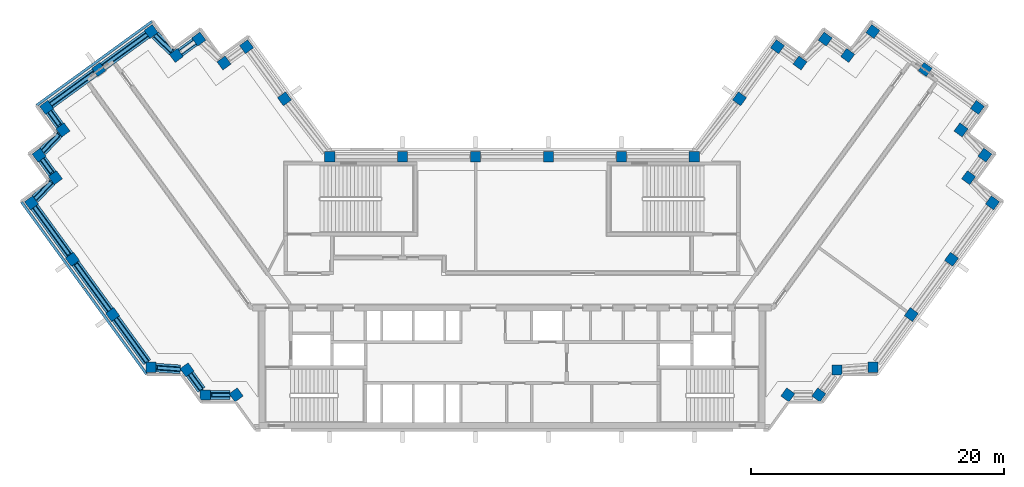
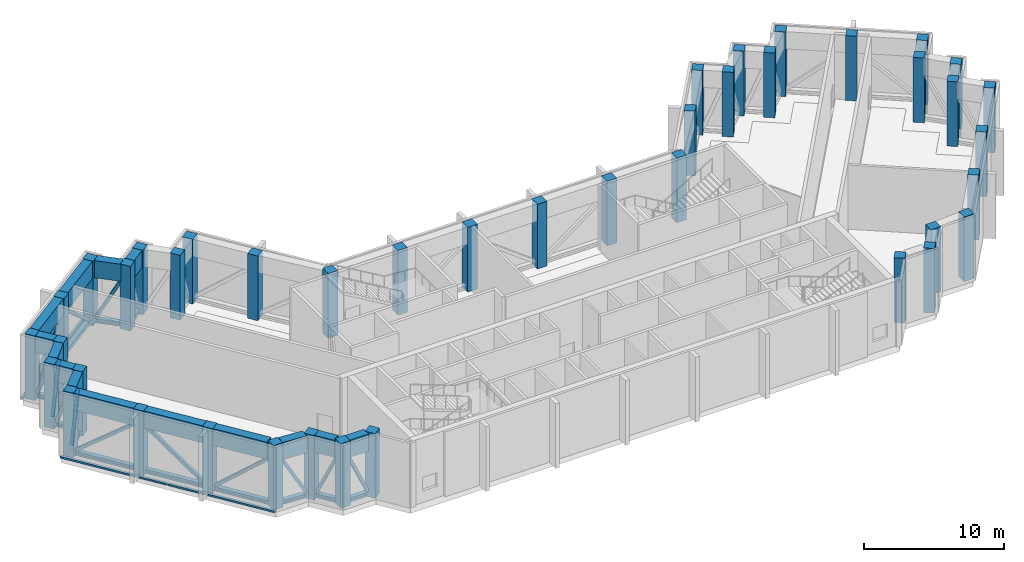
"""IFC4 building model written with IfcOpenShell, lengths in metres."""

from ifc_helpers import new_model, si_unit, direction, frame, origin, origin_2d, place, context, subcontext, project, spatial, rectangle, hollow_rectangle, i_section, extrude, material, material_profile, profile_set, type_object, element, aggregate, save


model = new_model("IFC4")

# Units and contexts
model_context = context("Model", 3, precision=1e-05, world=origin(), true_north=direction((0.0, 1.0)))
body_context = subcontext(model_context, "Body", "Model", "MODEL_VIEW")
ifc_project = project(units=[si_unit("LENGTHUNIT", "METRE"), si_unit("AREAUNIT", "SQUARE_METRE"), si_unit("VOLUMEUNIT", "CUBIC_METRE"), si_unit("PLANEANGLEUNIT", "RADIAN"), si_unit("MASSUNIT", "GRAM", prefix="KILO")], contexts=[model_context])

# Site, building, storey
site_placement = place(None, origin())
site = spatial("IfcSite", under=ifc_project, at=site_placement, CompositionType="ELEMENT")
building_placement = place(site_placement, origin())
building = spatial("IfcBuilding", under=site, at=building_placement, Name="Quipu Civic Tower", CompositionType="ELEMENT")
storey_1_placement = place(building_placement, frame((0.0, 0.0, 301.0)))
storey_1 = spatial("IfcBuildingStorey", under=building, at=storey_1_placement, Name="L70", CompositionType="ELEMENT", Elevation=301.0)

# Columns
ifc_material_1 = material(Name="Concrete C40/50", Category="concrete")
ifc_material_profile_1 = material_profile(ifc_material_1, rectangle(XDim=0.800048828125, YDim=0.800048828125, at=origin_2d()), Name="RC800x800")
ifc_profile_set_1 = profile_set([ifc_material_profile_1], Name="Concrete C40/50")
column_type = type_object("IfcColumnType", Name="Perimeter column RC 800x800 C40/50", PredefinedType="COLUMN", material=ifc_profile_set_1)
for number, where, z_axis, x_axis, name in (
    (1, (-17.9736328125, 15.074951171875, 0.0), (0.0, 0.0, 1.0), (-0.587785252292, 0.809016994375, 0.0), "Column L70 W-IN-01"),
    (2, (-20.969970703125, 19.195068359375, 0.0), (0.0, 0.0, 1.0), (-0.587785252292, 0.809016994375, 0.0), "Column L70 T-Wi.0-W22"),
    (3, (-22.749267578125, 17.904296875, 0.0), (0.0, 0.0, 1.0), (-0.587785252292, 0.809016994375, 0.0), "Column L70 T-Wi.1-W22"),
    (4, (-24.739990234375, 19.794921875, 0.0), (0.0, 0.0, 1.0), (-0.587785252292, 0.809016994375, 0.0), "Column L70 T-Wi.2-W22"),
    (5, (-26.51904296875, 18.50048828125, 0.0), (0.0, 0.0, 1.0), (-0.587785252292, 0.809016994375, 0.0), "Column L70 T-Wi.3-W22"),
    (6, (-28.510009765625, 20.389892578125, 0.0), (0.0, 0.0, 1.0), (-0.809016994375, -0.587785252292, 0.0), "Column L70 T-Wi.4-W22"),
    (7, (-32.636962890625, 17.39306640625, 0.0), (0.0, 0.0, 1.0), (-0.809016994375, -0.587785252292, 0.0), "Column L70 TIP-W-01-W22"),
    (8, (-36.764892578125, 14.39501953125, 0.0), (0.0, 0.0, 1.0), (0.587785252292, -0.809016994375, 0.0), "Column L70 T-Wo.0-W22"),
    (9, (-35.470703125, 12.616455078125, 0.0), (0.0, 0.0, 1.0), (-0.809016994375, -0.587785252292, 0.0), "Column L70 T-Wo.1-W22"),
    (10, (-37.360107421875, 10.625, 0.0), (0.0, 0.0, 1.0), (0.587785252292, -0.809016994375, 0.0), "Column L70 T-Wo.2-W22"),
    (11, (-36.068115234375, 8.843994140625, 0.0), (0.0, 0.0, 1.0), (0.587785252292, -0.809016994375, 0.0), "Column L70 T-Wo.3-W22"),
    (12, (-37.9599609375, 6.85498046875, 0.0), (0.0, 0.0, 1.0), (0.587785252292, -0.809016994375, 0.0), "Column L70 T-Wo.4-W22"),
    (13, (-34.722412109375, 2.39990234375, 0.0), (0.0, 0.0, 1.0), (0.587785252292, -0.809016994375, 0.0), "Column L70 W-OUT-02"),
    (14, (-31.54833984375, -1.96875, 0.0), (0.0, 0.0, 1.0), (0.587785252292, -0.809016994375, 0.0), "Column L70 W-OUT-01"),
    (15, (-28.52490234375, -6.1298828125, 0.0), (0.0, 0.0, 1.0), (1.0, 0.0, 0.0), "Column L70 J-Wo.0"),
    (16, (-25.67431640625, -6.3369140625, 0.0), (0.0, 0.0, 1.0), (0.587785252292, -0.809016994375, 0.0), "Column L70 J-Wo.1"),
    (17, (-24.235107421875, -8.31494140625, 0.0), (0.0, 0.0, 1.0), (1.0, 0.0, 0.0), "Column L70 J-Wo.2"),
    (18, (-21.791748046875, -8.31494140625, 0.0), (0.0, 0.0, 1.0), (0.587785252292, -0.809016994375, 0.0), "Column L70 J-Wo.3"),
    (19, (21.791748046875, -8.31494140625, 0.0), (0.0, 0.0, 1.0), (0.587785252292, 0.809016994375, 0.0), "Column L70 J-Eo.1"),
    (20, (24.235107421875, -8.31494140625, 0.0), (0.0, 0.0, 1.0), (0.587785252292, 0.809016994375, 0.0), "Column L70 J-Eo.2"),
    (21, (25.67431640625, -6.3369140625, 0.0), (0.0, 0.0, 1.0), (1.0, 0.0, 0.0), "Column L70 J-Eo.3"),
    (22, (28.52490234375, -6.1298828125, 0.0), (0.0, 0.0, 1.0), (1.0, 0.0, 0.0), "Column L70 J-Eo.4"),
    (23, (31.54833984375, -1.96875, 0.0), (0.0, 0.0, 1.0), (0.587785252292, 0.809016994375, 0.0), "Column L70 E-OUT-01"),
    (24, (34.722412109375, 2.39990234375, 0.0), (0.0, 0.0, 1.0), (0.587785252292, 0.809016994375, 0.0), "Column L70 E-OUT-02"),
    (25, (37.9599609375, 6.85498046875, 0.0), (0.0, 0.0, 1.0), (0.587785252292, 0.809016994375, 0.0), "Column L70 T-Eo.0-E22"),
    (26, (36.068115234375, 8.843994140625, 0.0), (0.0, 0.0, 1.0), (0.587785252292, 0.809016994375, 0.0), "Column L70 T-Eo.1-E22"),
    (27, (37.360107421875, 10.625, 0.0), (0.0, 0.0, 1.0), (0.587785252292, 0.809016994375, 0.0), "Column L70 T-Eo.2-E22"),
    (28, (35.470703125, 12.616455078125, 0.0), (0.0, 0.0, 1.0), (-0.809016994375, 0.587785252292, 0.0), "Column L70 T-Eo.3-E22"),
    (29, (36.764892578125, 14.39501953125, 0.0), (0.0, 0.0, 1.0), (-0.809016994375, 0.587785252292, 0.0), "Column L70 T-Eo.4-E22"),
    (30, (32.636962890625, 17.39306640625, 0.0), (0.0, 0.0, 1.0), (-0.809016994375, 0.587785252292, 0.0), "Column L70 TIP-E-01-E22"),
    (31, (28.510009765625, 20.389892578125, 0.0), (0.0, 0.0, 1.0), (-0.587785252292, -0.809016994375, 0.0), "Column L70 T-Ei.0-E22"),
    (32, (26.51904296875, 18.50048828125, 0.0), (0.0, 0.0, 1.0), (-0.809016994375, 0.587785252292, 0.0), "Column L70 T-Ei.1-E22"),
    (33, (24.739990234375, 19.794921875, 0.0), (0.0, 0.0, 1.0), (-0.587785252292, -0.809016994375, 0.0), "Column L70 T-Ei.2-E22"),
    (34, (22.749267578125, 17.904296875, 0.0), (0.0, 0.0, 1.0), (-0.587785252292, -0.809016994375, 0.0), "Column L70 T-Ei.3-E22"),
    (35, (20.969970703125, 19.195068359375, 0.0), (0.0, 0.0, 1.0), (-0.587785252292, -0.809016994375, 0.0), "Column L70 T-Ei.4-E22"),
    (36, (17.9736328125, 15.074951171875, 0.0), (0.0, 0.0, 1.0), (-0.587785252292, -0.809016994375, 0.0), "Column L70 E-IN-01"),
    (37, (14.395263671875, 10.5, 0.0), (0.0, 0.0, 1.0), (-1.0, 0.0, 0.0), "Column L70 J-Ei.0"),
    (38, (8.63720703125, 10.5, 0.0), (0.0, 0.0, 1.0), (-1.0, 0.0, 0.0), "Column L70 FRONT-01"),
    (39, (2.87890625, 10.5, 0.0), (0.0, 0.0, 1.0), (-1.0, 0.0, 0.0), "Column L70 FRONT-02"),
    (40, (-2.87890625, 10.5, 0.0), (0.0, 0.0, 1.0), (-1.0, 0.0, 0.0), "Column L70 FRONT-03"),
    (41, (-8.63720703125, 10.5, 0.0), (0.0, 0.0, 1.0), (-1.0, 0.0, 0.0), "Column L70 FRONT-04"),
    (42, (-14.395263671875, 10.5, 0.0), (0.0, 0.0, 1.0), (-1.0, 0.0, 0.0), "Column L70 J-Wi.0"),
):
    element("IfcColumn", number, at=place(storey_1_placement, frame(where, z_axis=z_axis, x_axis=x_axis)), inside=storey_1, type_object=column_type, Name=name, PredefinedType="COLUMN", context=body_context, shape_type="SweptSolid", body=[
        extrude(rectangle(XDim=0.800048828125, YDim=0.800048828125, at=origin_2d()), origin(), (0.0, 0.0, 1.0), 5.64990234375),
    ])

# Beams
ifc_material_2 = material(Name="Steel ASTM A992 Grade 50 (fy 345 MPa)", Category="steel")
ifc_material_profile_2 = material_profile(ifc_material_2, i_section(OverallWidth=0.368896484375, OverallDepth=0.356201171875, WebThickness=0.01123046875, FlangeThickness=0.01806640625, at=origin_2d()), Name="W360x134")
ifc_profile_set_2 = profile_set([ifc_material_profile_2], Name="Steel ASTM A992 Grade 50 (fy 345 MPa)")
beam_type_1 = type_object("IfcBeamType", Name="Belt truss bottom chord W360x134", PredefinedType="BEAM", material=ifc_profile_set_2)
beam_1_placement = place(storey_1_placement, frame((-25.0634765625, 19.5595703125, 0.278076171875), z_axis=(-0.808600329101, -0.588358315805, 0.0), x_axis=(0.588358315805, -0.808600329101, 0.0)))
element("IfcBeam", 43, at=beam_1_placement, inside=storey_1, type_object=beam_type_1, Name="Truss bottom chord L70 T-Wi.2-W22 to T-Wi.3-W22", PredefinedType="BEAM", context=body_context, shape_type="SweptSolid", body=[
    extrude(i_section(OverallWidth=0.368896484375, OverallDepth=0.356201171875, WebThickness=0.01123046875, FlangeThickness=0.01806640625, at=origin_2d()), origin(), (0.0, 0.0, 1.0), 1.400146484375),
])
beam_2_placement = place(storey_1_placement, frame((-26.81396484375, 18.780517578125, 0.278076171875), z_axis=(-0.725384387405, 0.688344020464, 0.0), x_axis=(-0.688344020464, -0.725384387405, 0.0)))
element("IfcBeam", 44, at=beam_2_placement, inside=storey_1, type_object=beam_type_1, Name="Truss bottom chord L70 T-Wi.3-W22 to T-Wi.4-W22", PredefinedType="BEAM", context=body_context, shape_type="SweptSolid", body=[
    extrude(i_section(OverallWidth=0.368896484375, OverallDepth=0.356201171875, WebThickness=0.01123046875, FlangeThickness=0.01806640625, at=origin_2d()), origin(), (0.0, 0.0, 1.0), 1.93115234375),
])
beam_3_placement = place(storey_1_placement, frame((-28.833740234375, 20.155029296875, 0.278076171875), z_axis=(-0.80911644178, -0.587648350327, 0.0), x_axis=(0.587648350327, -0.80911644178, 0.0)))
element("IfcBeam", 45, at=beam_3_placement, inside=storey_1, type_object=beam_type_1, Name="Truss bottom chord L70 T-Wi.4-W22 to TIP-W-01-W22", PredefinedType="BEAM", context=body_context, shape_type="SweptSolid", body=[
    extrude(i_section(OverallWidth=0.368896484375, OverallDepth=0.356201171875, WebThickness=0.01123046875, FlangeThickness=0.01806640625, at=origin_2d()), origin(), (0.0, 0.0, 1.0), 4.30029296875),
])
beam_4_placement = place(storey_1_placement, frame((-32.96044921875, 17.157958984375, 0.278076171875), z_axis=(-0.809153076016, -0.587597906373, 0.0), x_axis=(0.587597906373, -0.809153076016, 0.0)))
element("IfcBeam", 46, at=beam_4_placement, inside=storey_1, type_object=beam_type_1, Name="Truss bottom chord L70 TIP-W-01-W22 to T-Wo.0-W22", PredefinedType="BEAM", context=body_context, shape_type="SweptSolid", body=[
    extrude(i_section(OverallWidth=0.368896484375, OverallDepth=0.356201171875, WebThickness=0.01123046875, FlangeThickness=0.01806640625, at=origin_2d()), origin(), (0.0, 0.0, 1.0), 4.302001953125),
])
beam_5_placement = place(storey_1_placement, frame((-36.529541015625, 14.071533203125, 0.278076171875), z_axis=(0.58841024035, -0.808562544922, 0.0), x_axis=(0.808562544922, 0.58841024035, 0.0)))
element("IfcBeam", 47, at=beam_5_placement, inside=storey_1, type_object=beam_type_1, Name="Truss bottom chord L70 T-Wo.0-W22 to T-Wo.1-W22", PredefinedType="BEAM", context=body_context, shape_type="SweptSolid", body=[
    extrude(i_section(OverallWidth=0.368896484375, OverallDepth=0.356201171875, WebThickness=0.01123046875, FlangeThickness=0.01806640625, at=origin_2d()), origin(), (0.0, 0.0, 1.0), 1.3994140625),
])
beam_6_placement = place(storey_1_placement, frame((-35.750732421875, 12.3212890625, 0.278076171875), z_axis=(-0.688280901551, -0.725444278053, 0.0), x_axis=(0.725444278053, -0.688280901551, 0.0)))
element("IfcBeam", 48, at=beam_6_placement, inside=storey_1, type_object=beam_type_1, Name="Truss bottom chord L70 T-Wo.1-W22 to T-Wo.2-W22", PredefinedType="BEAM", context=body_context, shape_type="SweptSolid", body=[
    extrude(i_section(OverallWidth=0.368896484375, OverallDepth=0.356201171875, WebThickness=0.01123046875, FlangeThickness=0.01806640625, at=origin_2d()), origin(), (0.0, 0.0, 1.0), 1.931396484375),
])
beam_7_placement = place(storey_1_placement, frame((-37.125244140625, 10.30126953125, 0.278076171875), z_axis=(0.58725897397, -0.809399096547, 0.0), x_axis=(0.809399096547, 0.58725897397, 0.0)))
element("IfcBeam", 49, at=beam_7_placement, inside=storey_1, type_object=beam_type_1, Name="Truss bottom chord L70 T-Wo.2-W22 to T-Wo.3-W22", PredefinedType="BEAM", context=body_context, shape_type="SweptSolid", body=[
    extrude(i_section(OverallWidth=0.368896484375, OverallDepth=0.356201171875, WebThickness=0.01123046875, FlangeThickness=0.01806640625, at=origin_2d()), origin(), (0.0, 0.0, 1.0), 1.400146484375),
])
beam_8_placement = place(storey_1_placement, frame((-36.348388671875, 8.54931640625, 0.278076171875), z_axis=(-0.689191109061, -0.724579612735, 0.0), x_axis=(0.724579612735, -0.689191109061, 0.0)))
element("IfcBeam", 50, at=beam_8_placement, inside=storey_1, type_object=beam_type_1, Name="Truss bottom chord L70 T-Wo.3-W22 to T-Wo.4-W22", PredefinedType="BEAM", context=body_context, shape_type="SweptSolid", body=[
    extrude(i_section(OverallWidth=0.368896484375, OverallDepth=0.356201171875, WebThickness=0.01123046875, FlangeThickness=0.01806640625, at=origin_2d()), origin(), (0.0, 0.0, 1.0), 1.931640625),
])
beam_9_placement = place(storey_1_placement, frame((-37.724853515625, 6.531494140625, 0.278076171875), z_axis=(0.587891029962, -0.808940131833, 0.0), x_axis=(0.808940131833, 0.587891029962, 0.0)))
element("IfcBeam", 51, at=beam_9_placement, inside=storey_1, type_object=beam_type_1, Name="Truss bottom chord L70 T-Wo.4-W22 to W-OUT-02", PredefinedType="BEAM", context=body_context, shape_type="SweptSolid", body=[
    extrude(i_section(OverallWidth=0.368896484375, OverallDepth=0.356201171875, WebThickness=0.01123046875, FlangeThickness=0.01806640625, at=origin_2d()), origin(), (0.0, 0.0, 1.0), 4.707275390625),
])
beam_10_placement = place(storey_1_placement, frame((-34.4873046875, 2.076416015625, 0.278076171875), z_axis=(0.587796098864, -0.809009113768, 0.0), x_axis=(0.809009113768, 0.587796098864, 0.0)))
element("IfcBeam", 52, at=beam_10_placement, inside=storey_1, type_object=beam_type_1, Name="Truss bottom chord L70 W-OUT-02 to W-OUT-01", PredefinedType="BEAM", context=body_context, shape_type="SweptSolid", body=[
    extrude(i_section(OverallWidth=0.368896484375, OverallDepth=0.356201171875, WebThickness=0.01123046875, FlangeThickness=0.01806640625, at=origin_2d()), origin(), (0.0, 0.0, 1.0), 4.60009765625),
])
beam_11_placement = place(storey_1_placement, frame((-31.313232421875, -2.292236328125, 0.278076171875), z_axis=(0.58776850526, -0.809029161541, 0.0), x_axis=(0.809029161541, 0.58776850526, 0.0)))
element("IfcBeam", 53, at=beam_11_placement, inside=storey_1, type_object=beam_type_1, Name="Truss bottom chord L70 W-OUT-01 to J-Wo.0", PredefinedType="BEAM", context=body_context, shape_type="SweptSolid", body=[
    extrude(i_section(OverallWidth=0.368896484375, OverallDepth=0.356201171875, WebThickness=0.01123046875, FlangeThickness=0.01806640625, at=origin_2d()), origin(), (0.0, 0.0, 1.0), 4.249267578125),
])
beam_12_placement = place(storey_1_placement, frame((-28.125, -6.158935546875, 0.278076171875), z_axis=(0.997370796499, -0.072467194581, 0.0), x_axis=(0.072467194581, 0.997370796499, 0.0)))
element("IfcBeam", 54, at=beam_12_placement, inside=storey_1, type_object=beam_type_1, Name="Truss bottom chord L70 J-Wo.0 to J-Wo.1", PredefinedType="BEAM", context=body_context, shape_type="SweptSolid", body=[
    extrude(i_section(OverallWidth=0.368896484375, OverallDepth=0.356201171875, WebThickness=0.01123046875, FlangeThickness=0.01806640625, at=origin_2d()), origin(), (0.0, 0.0, 1.0), 1.933837890625),
])
beam_13_placement = place(storey_1_placement, frame((-25.43896484375, -6.660400390625, 0.278076171875), z_axis=(0.588330737135, -0.808620395329, 0.0), x_axis=(0.808620395329, 0.588330737135, 0.0)))
element("IfcBeam", 55, at=beam_13_placement, inside=storey_1, type_object=beam_type_1, Name="Truss bottom chord L70 J-Wo.1 to J-Wo.2", PredefinedType="BEAM", context=body_context, shape_type="SweptSolid", body=[
    extrude(i_section(OverallWidth=0.368896484375, OverallDepth=0.356201171875, WebThickness=0.01123046875, FlangeThickness=0.01806640625, at=origin_2d()), origin(), (0.0, 0.0, 1.0), 1.551513671875),
])
beam_14_placement = place(storey_1_placement, frame((-23.8349609375, -8.31494140625, 0.278076171875), z_axis=(1.0, 0.0, 0.0), x_axis=(0.0, 1.0, 0.0)))
element("IfcBeam", 56, at=beam_14_placement, inside=storey_1, type_object=beam_type_1, Name="Truss bottom chord L70 J-Wo.2 to J-Wo.3", PredefinedType="BEAM", context=body_context, shape_type="SweptSolid", body=[
    extrude(i_section(OverallWidth=0.368896484375, OverallDepth=0.356201171875, WebThickness=0.01123046875, FlangeThickness=0.01806640625, at=origin_2d()), origin(), (0.0, 0.0, 1.0), 1.548828125),
])

# Members
ifc_material_3 = material(Name="Steel ASTM A500 Grade C (fy 345 MPa)", Category="steel")
ifc_material_profile_3 = material_profile(ifc_material_3, hollow_rectangle(XDim=0.25390625, YDim=0.25390625, WallThickness=0.0126953125, at=origin_2d()), Name="HSS254x254x13")
ifc_profile_set_3 = profile_set([ifc_material_profile_3], Name="Steel ASTM A500 Grade C (fy 345 MPa)")
member_type_1 = type_object("IfcMemberType", Name="Belt truss diagonal HSS254x254x13", PredefinedType="BRACE", material=ifc_profile_set_3)
member_1_placement = place(storey_1_placement, frame((-26.80908203125, 18.77587890625, 4.14990234375), z_axis=(-0.337965932089, 0.320713821003, -0.88482861265), x_axis=(-0.688350201487, -0.725378521954, 0.0)))
element("IfcMember", 57, at=member_1_placement, inside=storey_1, type_object=member_type_1, Name="Truss diagonal L70 T-Wi.3-W22 to T-Wi.4-W22", PredefinedType="BRACE", context=body_context, shape_type="SweptSolid", body=[
    extrude(hollow_rectangle(XDim=0.25390625, YDim=0.25390625, WallThickness=0.0126953125, at=origin_2d()), origin(), (0.0, 0.0, 1.0), 4.174560546875),
])
member_2_placement = place(storey_1_placement, frame((-28.833740234375, 20.155029296875, 0.4560546875), z_axis=(-0.613774845381, -0.445774868407, 0.651586683316), x_axis=(0.587648350327, -0.80911644178, 0.0)))
element("IfcMember", 58, at=member_2_placement, inside=storey_1, type_object=member_type_1, Name="Truss diagonal L70 T-Wi.4-W22 to TIP-W-01-W22", PredefinedType="BRACE", context=body_context, shape_type="SweptSolid", body=[
    extrude(hollow_rectangle(XDim=0.25390625, YDim=0.25390625, WallThickness=0.0126953125, at=origin_2d()), origin(), (0.0, 0.0, 1.0), 5.6689453125),
])
member_3_placement = place(storey_1_placement, frame((-32.96044921875, 17.157958984375, 4.14990234375), z_axis=(-0.61390051048, -0.445807678883, -0.65144583557), x_axis=(0.587597906373, -0.809153076016, 0.0)))
element("IfcMember", 59, at=member_3_placement, inside=storey_1, type_object=member_type_1, Name="Truss diagonal L70 TIP-W-01-W22 to T-Wo.0-W22", PredefinedType="BRACE", context=body_context, shape_type="SweptSolid", body=[
    extrude(hollow_rectangle(XDim=0.25390625, YDim=0.25390625, WallThickness=0.0126953125, at=origin_2d()), origin(), (0.0, 0.0, 1.0), 5.670166015625),
])
member_4_placement = place(storey_1_placement, frame((-36.529541015625, 14.071533203125, 0.4560546875), z_axis=(0.208473274209, -0.286473058392, 0.935132119412), x_axis=(0.808562544922, 0.58841024035, 0.0)))
element("IfcMember", 60, at=member_4_placement, inside=storey_1, type_object=member_type_1, Name="Truss diagonal L70 T-Wo.0-W22 to T-Wo.1-W22", PredefinedType="BRACE", context=body_context, shape_type="SweptSolid", body=[
    extrude(hollow_rectangle(XDim=0.25390625, YDim=0.25390625, WallThickness=0.0126953125, at=origin_2d()), origin(), (0.0, 0.0, 1.0), 3.9501953125),
])
member_5_placement = place(storey_1_placement, frame((-35.74609375, 12.326171875, 4.14990234375), z_axis=(-0.320661353071, -0.337972270545, -0.884845207361), x_axis=(0.725441198178, -0.688284147708, 0.0)))
element("IfcMember", 61, at=member_5_placement, inside=storey_1, type_object=member_type_1, Name="Truss diagonal L70 T-Wo.1-W22 to T-Wo.2-W22", PredefinedType="BRACE", context=body_context, shape_type="SweptSolid", body=[
    extrude(hollow_rectangle(XDim=0.25390625, YDim=0.25390625, WallThickness=0.0126953125, at=origin_2d()), origin(), (0.0, 0.0, 1.0), 4.174560546875),
])
member_6_placement = place(storey_1_placement, frame((-37.125244140625, 10.30126953125, 0.4560546875), z_axis=(0.208151824317, -0.286888589217, 0.935076336676), x_axis=(0.809399096547, 0.58725897397, 0.0)))
element("IfcMember", 62, at=member_6_placement, inside=storey_1, type_object=member_type_1, Name="Truss diagonal L70 T-Wo.2-W22 to T-Wo.3-W22", PredefinedType="BRACE", context=body_context, shape_type="SweptSolid", body=[
    extrude(hollow_rectangle(XDim=0.25390625, YDim=0.25390625, WallThickness=0.0126953125, at=origin_2d()), origin(), (0.0, 0.0, 1.0), 3.9501953125),
])
member_7_placement = place(storey_1_placement, frame((-36.34375, 8.55419921875, 4.14990234375), z_axis=(-0.32111906753, -0.337610704216, -0.884817244897), x_axis=(0.724582520845, -0.689188051613, 0.0)))
element("IfcMember", 63, at=member_7_placement, inside=storey_1, type_object=member_type_1, Name="Truss diagonal L70 T-Wo.3-W22 to T-Wo.4-W22", PredefinedType="BRACE", context=body_context, shape_type="SweptSolid", body=[
    extrude(hollow_rectangle(XDim=0.25390625, YDim=0.25390625, WallThickness=0.0126953125, at=origin_2d()), origin(), (0.0, 0.0, 1.0), 4.1748046875),
])
member_8_placement = place(storey_1_placement, frame((-37.724853515625, 6.531494140625, 0.4560546875), z_axis=(0.462493004315, -0.636392006026, 0.617337375853), x_axis=(0.808940131833, 0.587891029962, 0.0)))
element("IfcMember", 64, at=member_8_placement, inside=storey_1, type_object=member_type_1, Name="Truss diagonal L70 T-Wo.4-W22 to W-OUT-02", PredefinedType="BRACE", context=body_context, shape_type="SweptSolid", body=[
    extrude(hollow_rectangle(XDim=0.25390625, YDim=0.25390625, WallThickness=0.0126953125, at=origin_2d()), origin(), (0.0, 0.0, 1.0), 5.9833984375),
])
member_9_placement = place(storey_1_placement, frame((-34.4873046875, 2.076416015625, 4.14990234375), z_axis=(0.458317535829, -0.630802184979, -0.626125897706), x_axis=(0.809009113768, 0.587796098864, 0.0)))
element("IfcMember", 65, at=member_9_placement, inside=storey_1, type_object=member_type_1, Name="Truss diagonal L70 W-OUT-02 to W-OUT-01", PredefinedType="BRACE", context=body_context, shape_type="SweptSolid", body=[
    extrude(hollow_rectangle(XDim=0.25390625, YDim=0.25390625, WallThickness=0.0126953125, at=origin_2d()), origin(), (0.0, 0.0, 1.0), 5.8994140625),
])
member_10_placement = place(storey_1_placement, frame((-31.313232421875, -2.292236328125, 0.4560546875), z_axis=(0.447776863455, -0.616303324973, 0.647816403143), x_axis=(0.809013069445, 0.587790654457, 0.0)))
element("IfcMember", 66, at=member_10_placement, inside=storey_1, type_object=member_type_1, Name="Truss diagonal L70 W-OUT-01 to J-Wo.0", PredefinedType="BRACE", context=body_context, shape_type="SweptSolid", body=[
    extrude(hollow_rectangle(XDim=0.25390625, YDim=0.25390625, WallThickness=0.0126953125, at=origin_2d()), origin(), (0.0, 0.0, 1.0), 5.701904296875),
])
member_11_placement = place(storey_1_placement, frame((-28.1259765625, -6.158935546875, 4.14990234375), z_axis=(0.485448497566, -0.035277001904, -0.873553255015), x_axis=(0.072477769643, 0.997370028078, 0.0)))
element("IfcMember", 67, at=member_11_placement, inside=storey_1, type_object=member_type_1, Name="Truss diagonal L70 J-Wo.0 to J-Wo.1", PredefinedType="BRACE", context=body_context, shape_type="SweptSolid", body=[
    extrude(hollow_rectangle(XDim=0.25390625, YDim=0.25390625, WallThickness=0.0126953125, at=origin_2d()), origin(), (0.0, 0.0, 1.0), 4.228515625),
])
member_12_placement = place(storey_1_placement, frame((-25.43896484375, -6.660400390625, 0.4560546875), z_axis=(0.239489967764, -0.329140232985, 0.913406405917), x_axis=(0.808601379045, 0.58835687283, 0.0)))
element("IfcMember", 68, at=member_12_placement, inside=storey_1, type_object=member_type_1, Name="Truss diagonal L70 J-Wo.1 to J-Wo.2", PredefinedType="BRACE", context=body_context, shape_type="SweptSolid", body=[
    extrude(hollow_rectangle(XDim=0.25390625, YDim=0.25390625, WallThickness=0.0126953125, at=origin_2d()), origin(), (0.0, 0.0, 1.0), 4.0439453125),
])
member_13_placement = place(storey_1_placement, frame((-23.8349609375, -8.31494140625, 4.14990234375), z_axis=(0.406418602557, 0.0, -0.913686992079), x_axis=(0.0, 1.0, 0.0)))
element("IfcMember", 69, at=member_13_placement, inside=storey_1, type_object=member_type_1, Name="Truss diagonal L70 J-Wo.2 to J-Wo.3", PredefinedType="BRACE", context=body_context, shape_type="SweptSolid", body=[
    extrude(hollow_rectangle(XDim=0.25390625, YDim=0.25390625, WallThickness=0.0126953125, at=origin_2d()), origin(), (0.0, 0.0, 1.0), 4.042724609375),
])

# Beams
ifc_material_4 = material(Name="Steel ASTM A572 Grade 50 (fy 345 MPa)", Category="steel")
ifc_material_profile_4 = material_profile(ifc_material_4, hollow_rectangle(XDim=0.699951171875, YDim=1.5, WallThickness=0.050048828125, at=origin_2d()), Name="BX1500x700x50")
ifc_profile_set_4 = profile_set([ifc_material_profile_4], Name="Steel ASTM A572 Grade 50 (fy 345 MPa)")
beam_type_2 = type_object("IfcBeamType", Name="Belt truss top chord BX1500x700x50", PredefinedType="BEAM", material=ifc_profile_set_4)
beam_15_placement = place(storey_1_placement, frame((-25.0634765625, 19.5595703125, 4.89990234375), z_axis=(-0.808600329101, -0.588358315805, 0.0), x_axis=(0.588358315805, -0.808600329101, 0.0)))
element("IfcBeam", 70, at=beam_15_placement, inside=storey_1, type_object=beam_type_2, Name="Truss top chord L70 T-Wi.2-W22 to T-Wi.3-W22", PredefinedType="BEAM", context=body_context, shape_type="SweptSolid", body=[
    extrude(hollow_rectangle(XDim=0.699951171875, YDim=1.5, WallThickness=0.050048828125, at=origin_2d()), origin(), (0.0, 0.0, 1.0), 1.400146484375),
])
beam_16_placement = place(storey_1_placement, frame((-26.81396484375, 18.780517578125, 4.89990234375), z_axis=(-0.725384387405, 0.688344020464, 0.0), x_axis=(-0.688344020464, -0.725384387405, 0.0)))
element("IfcBeam", 71, at=beam_16_placement, inside=storey_1, type_object=beam_type_2, Name="Truss top chord L70 T-Wi.3-W22 to T-Wi.4-W22", PredefinedType="BEAM", context=body_context, shape_type="SweptSolid", body=[
    extrude(hollow_rectangle(XDim=0.699951171875, YDim=1.5, WallThickness=0.050048828125, at=origin_2d()), origin(), (0.0, 0.0, 1.0), 1.93115234375),
])
beam_17_placement = place(storey_1_placement, frame((-28.833740234375, 20.155029296875, 4.89990234375), z_axis=(-0.80911644178, -0.587648350327, 0.0), x_axis=(0.587648350327, -0.80911644178, 0.0)))
element("IfcBeam", 72, at=beam_17_placement, inside=storey_1, type_object=beam_type_2, Name="Truss top chord L70 T-Wi.4-W22 to TIP-W-01-W22", PredefinedType="BEAM", context=body_context, shape_type="SweptSolid", body=[
    extrude(hollow_rectangle(XDim=0.699951171875, YDim=1.5, WallThickness=0.050048828125, at=origin_2d()), origin(), (0.0, 0.0, 1.0), 4.30029296875),
])
beam_18_placement = place(storey_1_placement, frame((-32.96044921875, 17.157958984375, 4.89990234375), z_axis=(-0.809153076016, -0.587597906373, 0.0), x_axis=(0.587597906373, -0.809153076016, 0.0)))
element("IfcBeam", 73, at=beam_18_placement, inside=storey_1, type_object=beam_type_2, Name="Truss top chord L70 TIP-W-01-W22 to T-Wo.0-W22", PredefinedType="BEAM", context=body_context, shape_type="SweptSolid", body=[
    extrude(hollow_rectangle(XDim=0.699951171875, YDim=1.5, WallThickness=0.050048828125, at=origin_2d()), origin(), (0.0, 0.0, 1.0), 4.302001953125),
])
beam_19_placement = place(storey_1_placement, frame((-36.529541015625, 14.071533203125, 4.89990234375), z_axis=(0.58841024035, -0.808562544922, 0.0), x_axis=(0.808562544922, 0.58841024035, 0.0)))
element("IfcBeam", 74, at=beam_19_placement, inside=storey_1, type_object=beam_type_2, Name="Truss top chord L70 T-Wo.0-W22 to T-Wo.1-W22", PredefinedType="BEAM", context=body_context, shape_type="SweptSolid", body=[
    extrude(hollow_rectangle(XDim=0.699951171875, YDim=1.5, WallThickness=0.050048828125, at=origin_2d()), origin(), (0.0, 0.0, 1.0), 1.3994140625),
])
beam_20_placement = place(storey_1_placement, frame((-35.750732421875, 12.3212890625, 4.89990234375), z_axis=(-0.688280901551, -0.725444278053, 0.0), x_axis=(0.725444278053, -0.688280901551, 0.0)))
element("IfcBeam", 75, at=beam_20_placement, inside=storey_1, type_object=beam_type_2, Name="Truss top chord L70 T-Wo.1-W22 to T-Wo.2-W22", PredefinedType="BEAM", context=body_context, shape_type="SweptSolid", body=[
    extrude(hollow_rectangle(XDim=0.699951171875, YDim=1.5, WallThickness=0.050048828125, at=origin_2d()), origin(), (0.0, 0.0, 1.0), 1.931396484375),
])
beam_21_placement = place(storey_1_placement, frame((-37.125244140625, 10.30126953125, 4.89990234375), z_axis=(0.58725897397, -0.809399096547, 0.0), x_axis=(0.809399096547, 0.58725897397, 0.0)))
element("IfcBeam", 76, at=beam_21_placement, inside=storey_1, type_object=beam_type_2, Name="Truss top chord L70 T-Wo.2-W22 to T-Wo.3-W22", PredefinedType="BEAM", context=body_context, shape_type="SweptSolid", body=[
    extrude(hollow_rectangle(XDim=0.699951171875, YDim=1.5, WallThickness=0.050048828125, at=origin_2d()), origin(), (0.0, 0.0, 1.0), 1.400146484375),
])
beam_22_placement = place(storey_1_placement, frame((-36.348388671875, 8.54931640625, 4.89990234375), z_axis=(-0.689191109061, -0.724579612735, 0.0), x_axis=(0.724579612735, -0.689191109061, 0.0)))
element("IfcBeam", 77, at=beam_22_placement, inside=storey_1, type_object=beam_type_2, Name="Truss top chord L70 T-Wo.3-W22 to T-Wo.4-W22", PredefinedType="BEAM", context=body_context, shape_type="SweptSolid", body=[
    extrude(hollow_rectangle(XDim=0.699951171875, YDim=1.5, WallThickness=0.050048828125, at=origin_2d()), origin(), (0.0, 0.0, 1.0), 1.931640625),
])
beam_23_placement = place(storey_1_placement, frame((-37.724853515625, 6.531494140625, 4.89990234375), z_axis=(0.587891029962, -0.808940131833, 0.0), x_axis=(0.808940131833, 0.587891029962, 0.0)))
element("IfcBeam", 78, at=beam_23_placement, inside=storey_1, type_object=beam_type_2, Name="Truss top chord L70 T-Wo.4-W22 to W-OUT-02", PredefinedType="BEAM", context=body_context, shape_type="SweptSolid", body=[
    extrude(hollow_rectangle(XDim=0.699951171875, YDim=1.5, WallThickness=0.050048828125, at=origin_2d()), origin(), (0.0, 0.0, 1.0), 4.707275390625),
])
beam_24_placement = place(storey_1_placement, frame((-34.4873046875, 2.076416015625, 4.89990234375), z_axis=(0.587796098864, -0.809009113768, 0.0), x_axis=(0.809009113768, 0.587796098864, 0.0)))
element("IfcBeam", 79, at=beam_24_placement, inside=storey_1, type_object=beam_type_2, Name="Truss top chord L70 W-OUT-02 to W-OUT-01", PredefinedType="BEAM", context=body_context, shape_type="SweptSolid", body=[
    extrude(hollow_rectangle(XDim=0.699951171875, YDim=1.5, WallThickness=0.050048828125, at=origin_2d()), origin(), (0.0, 0.0, 1.0), 4.60009765625),
])
beam_25_placement = place(storey_1_placement, frame((-31.313232421875, -2.292236328125, 4.89990234375), z_axis=(0.58776850526, -0.809029161541, 0.0), x_axis=(0.809029161541, 0.58776850526, 0.0)))
element("IfcBeam", 80, at=beam_25_placement, inside=storey_1, type_object=beam_type_2, Name="Truss top chord L70 W-OUT-01 to J-Wo.0", PredefinedType="BEAM", context=body_context, shape_type="SweptSolid", body=[
    extrude(hollow_rectangle(XDim=0.699951171875, YDim=1.5, WallThickness=0.050048828125, at=origin_2d()), origin(), (0.0, 0.0, 1.0), 4.249267578125),
])
beam_26_placement = place(storey_1_placement, frame((-28.125, -6.158935546875, 4.89990234375), z_axis=(0.997370796499, -0.072467194581, 0.0), x_axis=(0.072467194581, 0.997370796499, 0.0)))
element("IfcBeam", 81, at=beam_26_placement, inside=storey_1, type_object=beam_type_2, Name="Truss top chord L70 J-Wo.0 to J-Wo.1", PredefinedType="BEAM", context=body_context, shape_type="SweptSolid", body=[
    extrude(hollow_rectangle(XDim=0.699951171875, YDim=1.5, WallThickness=0.050048828125, at=origin_2d()), origin(), (0.0, 0.0, 1.0), 1.933837890625),
])
beam_27_placement = place(storey_1_placement, frame((-25.43896484375, -6.660400390625, 4.89990234375), z_axis=(0.588330737135, -0.808620395329, 0.0), x_axis=(0.808620395329, 0.588330737135, 0.0)))
element("IfcBeam", 82, at=beam_27_placement, inside=storey_1, type_object=beam_type_2, Name="Truss top chord L70 J-Wo.1 to J-Wo.2", PredefinedType="BEAM", context=body_context, shape_type="SweptSolid", body=[
    extrude(hollow_rectangle(XDim=0.699951171875, YDim=1.5, WallThickness=0.050048828125, at=origin_2d()), origin(), (0.0, 0.0, 1.0), 1.551513671875),
])
beam_28_placement = place(storey_1_placement, frame((-23.8349609375, -8.31494140625, 4.89990234375), z_axis=(1.0, 0.0, 0.0), x_axis=(0.0, 1.0, 0.0)))
element("IfcBeam", 83, at=beam_28_placement, inside=storey_1, type_object=beam_type_2, Name="Truss top chord L70 J-Wo.2 to J-Wo.3", PredefinedType="BEAM", context=body_context, shape_type="SweptSolid", body=[
    extrude(hollow_rectangle(XDim=0.699951171875, YDim=1.5, WallThickness=0.050048828125, at=origin_2d()), origin(), (0.0, 0.0, 1.0), 1.548828125),
])

# Storey
storey_2_placement = place(building_placement, frame((0.0, 0.0, 297.0)))
storey_2 = spatial("IfcBuildingStorey", under=building, at=storey_2_placement, Name="L69", CompositionType="ELEMENT", Elevation=297.0)

# Curtain wall, member
ifc_material_5 = material(Name="Insulated glass unit", Category="glass")
curtain_wall_type = type_object("IfcCurtainWallType", Name="Office curtain wall CW1", PredefinedType="NOTDEFINED", material=ifc_material_5)
curtain_wall_1_placement = place(storey_2_placement, origin())
curtain_wall_1 = element("IfcCurtainWall", 84, at=curtain_wall_1_placement, inside=storey_2, type_object=curtain_wall_type, Name="Office curtain wall CW1 L68 run 6", PredefinedType="NOTDEFINED")
ifc_material_6 = material(Name="Anodised aluminium", Category="aluminium")
ifc_material_profile_5 = material_profile(ifc_material_6, rectangle(XDim=0.199951171875, YDim=0.159912109375, at=origin_2d()), Name="RECT 200x160")
ifc_profile_set_5 = profile_set([ifc_material_profile_5], Name="Anodised aluminium")
member_type_2 = type_object("IfcMemberType", Name="Transom CW1", PredefinedType="USERDEFINED", material=ifc_profile_set_5)
member_14_placement = place(storey_1_placement, frame((-28.443359375, 21.1826171875, 0.0), z_axis=(-0.809022463805, -0.587777724194, 0.0), x_axis=(0.587777724194, -0.809022463805, 0.0)))
member_14 = element("IfcMember", 85, at=member_14_placement, inside=storey_1, type_object=member_type_2, Name="CW1 transom 1.3", ObjectType="TRANSOM", PredefinedType="USERDEFINED", context=body_context, shape_type="SweptSolid", body=[
    extrude(rectangle(XDim=0.199951171875, YDim=0.159912109375, at=origin_2d()), origin(), (0.0, 0.0, 1.0), 11.240234375),
])
aggregate(curtain_wall_1, [member_14])

# Curtain wall, members
curtain_wall_2_placement = place(storey_2_placement, origin())
curtain_wall_2 = element("IfcCurtainWall", 86, at=curtain_wall_2_placement, inside=storey_2, type_object=curtain_wall_type, Name="Office curtain wall CW1 L68 run 11", PredefinedType="NOTDEFINED")
member_15_placement = place(storey_1_placement, frame((-38.7490234375, 6.92138671875, 0.0), z_axis=(0.587779098815, -0.809021465102, 0.0), x_axis=(0.809021465102, 0.587779098815, 0.0)))
member_15 = element("IfcMember", 87, at=member_15_placement, inside=storey_1, type_object=member_type_2, Name="CW1 transom 1.3", ObjectType="TRANSOM", PredefinedType="USERDEFINED", context=body_context, shape_type="SweptSolid", body=[
    extrude(rectangle(XDim=0.199951171875, YDim=0.159912109375, at=origin_2d()), origin(), (0.0, 0.0, 1.0), 8.35791015625),
])
member_16_placement = place(storey_1_placement, frame((-33.78955078125, 0.094970703125, 0.0), z_axis=(0.587812107925, -0.808997481935, 0.0), x_axis=(0.808997481935, 0.587812107925, 0.0)))
member_16 = element("IfcMember", 88, at=member_16_placement, inside=storey_1, type_object=member_type_2, Name="CW1 transom 2.3", ObjectType="TRANSOM", PredefinedType="USERDEFINED", context=body_context, shape_type="SweptSolid", body=[
    extrude(rectangle(XDim=0.199951171875, YDim=0.159912109375, at=origin_2d()), origin(), (0.0, 0.0, 1.0), 8.35791015625),
])
aggregate(curtain_wall_2, [member_15, member_16])

save(model, "model.ifc")
